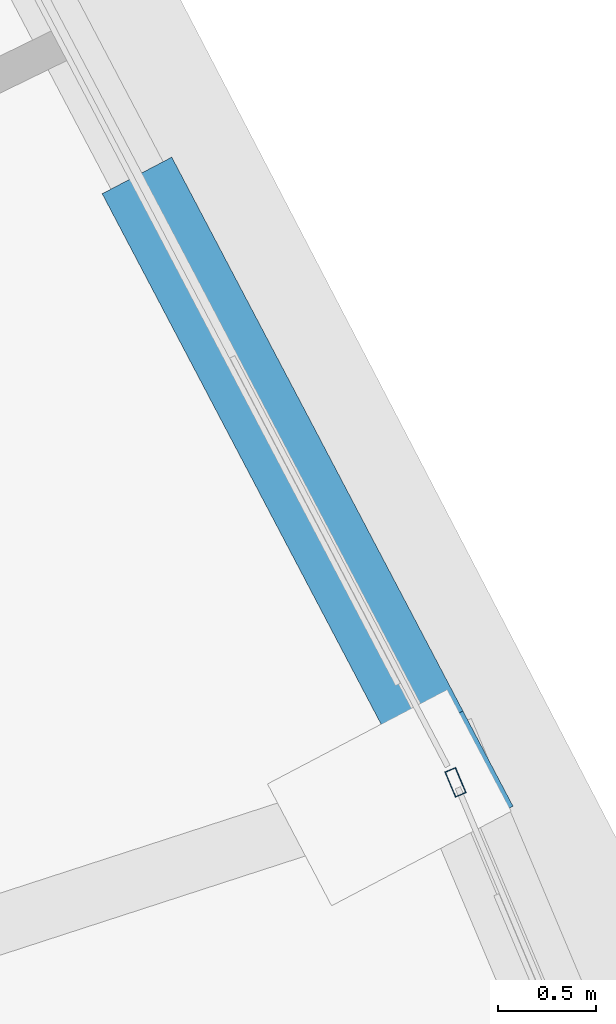
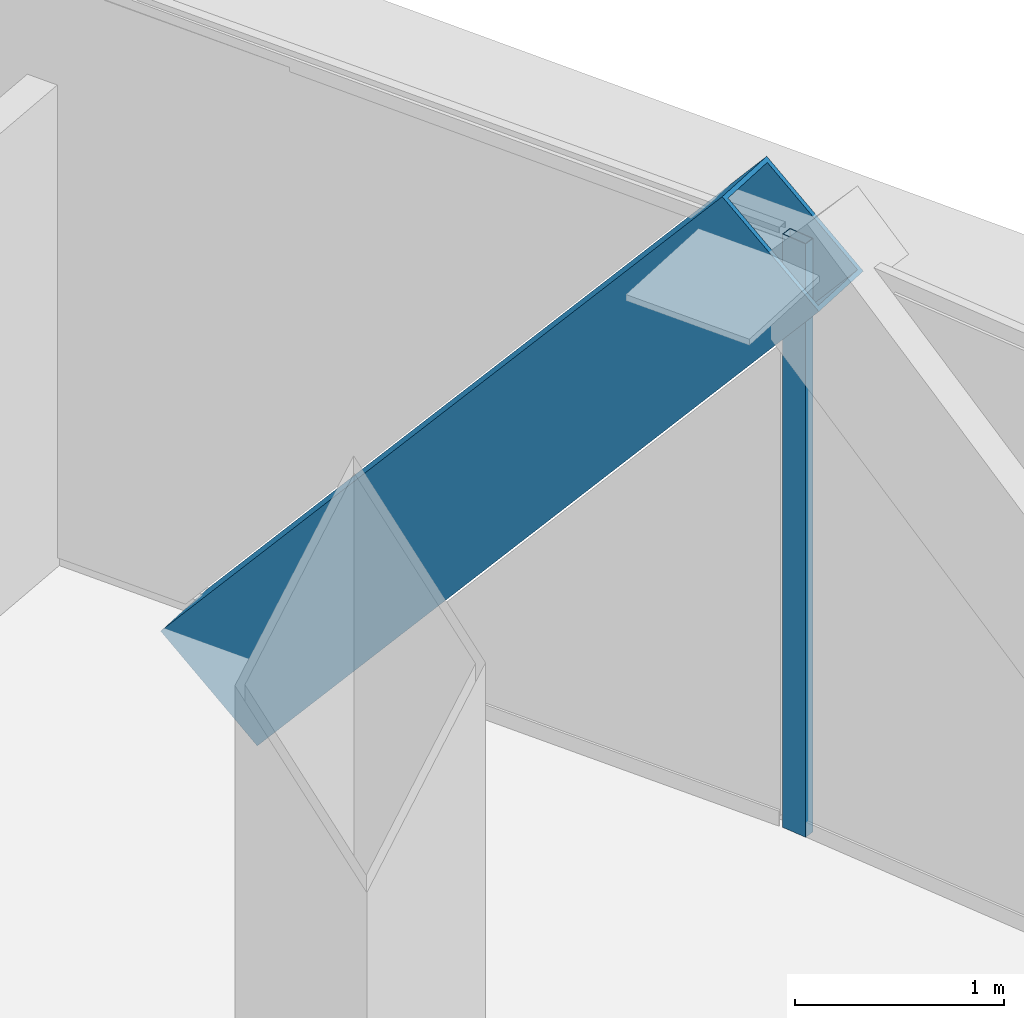
# One storey, part 24 of 35: 2 members, 1 element without a shape of its own.
"""IFC4 building model written with IfcOpenShell, lengths in metres."""

from ifc_helpers import new_model, si_unit, direction, frame, origin, origin_2d, place, context, subcontext, project, spatial, hollow_rectangle, extrude, source, transform, mapped, material, layer, layer_set, material_profile, profile_set, type_object, element, aggregate, save


model = new_model("IFC4")

# Units and contexts
model_context = context("Model", 3, precision=1e-05, world=origin(), true_north=direction((0.0, 1.0)))
body_context = subcontext(model_context, "Body", "Model", "MODEL_VIEW")
ifc_project = project(units=[si_unit("LENGTHUNIT", "METRE"), si_unit("AREAUNIT", "SQUARE_METRE"), si_unit("VOLUMEUNIT", "CUBIC_METRE"), si_unit("PLANEANGLEUNIT", "RADIAN"), si_unit("MASSUNIT", "GRAM", prefix="KILO"), si_unit("THERMODYNAMICTEMPERATUREUNIT", "KELVIN"), si_unit("POWERUNIT", "WATT")], contexts=[model_context])

# Site, building, storey
site_placement = place(None, origin())
site = spatial("IfcSite", under=ifc_project, at=site_placement, CompositionType="ELEMENT")
building_placement = place(site_placement, origin())
building = spatial("IfcBuilding", under=site, at=building_placement, Name="Yunzhuo Pagoda Commons", CompositionType="ELEMENT")
storey_placement = place(building_placement, frame((0.0, 0.0, 237.070068359375)))
storey = spatial("IfcBuildingStorey", under=building, at=storey_placement, Name="L59", CompositionType="ELEMENT", Elevation=237.070068359375)

# Member
ifc_material_1 = material(Name="Structural steel Q355B", Category="steel")
ifc_material_profile_1 = material_profile(ifc_material_1, hollow_rectangle(XDim=0.39990234375, YDim=0.719970703125, WallThickness=0.02392578125, at=origin_2d()), Name="Structural steel Q355B")
ifc_profile_set_1 = profile_set([ifc_material_profile_1], Name="Structural steel Q355B")
member_type_1 = type_object("IfcMemberType", Name="M-DL2 Brace BOX 720x400x24", PredefinedType="BRACE", material=ifc_profile_set_1)
shared_shape_1 = source(origin(), body_context, "Body", "SweptSolid", [
    extrude(hollow_rectangle(XDim=0.39990234375, YDim=0.719970703125, WallThickness=0.02392578125, at=origin_2d()), origin(), (0.0, 0.0, 1.0), 4.90283203125),
])
member_1_placement = place(storey_placement, frame((75.363525390625, 45.888671875, -0.260009765625), z_axis=(0.30201396814, -0.574448991998, 0.76078638174), x_axis=(0.885126179931, 0.465351099279, 0.0)))
element("IfcMember", 1, at=member_1_placement, inside=storey, type_object=member_type_1, Name="L59 facade diamond brace F2.2L", PredefinedType="BRACE", context=body_context, shape_type="MappedRepresentation", body=[
    mapped(shared_shape_1, transform((0.0, 0.0, 0.0), scale=1.0)),
])

# Curtain wall, member
ifc_material_2 = material(Name="Anodized aluminium 6063-T6", Category="aluminium")
ifc_layer = layer(ifc_material_2, 0.139892578125)
ifc_layer_set = layer_set([ifc_layer], Name="Anodized aluminium 6063-T6")
curtain_wall_type = type_object("IfcCurtainWallType", Name="CW-HI High-Zone Ribbon Curtain Wall", PredefinedType="NOTDEFINED", material=ifc_layer_set)
curtain_wall_placement = place(storey_placement, origin())
curtain_wall = element("IfcCurtainWall", 2, at=curtain_wall_placement, inside=storey, type_object=curtain_wall_type, Name="L59 curtain wall CW-L59-F2B2", PredefinedType="NOTDEFINED")
ifc_material_profile_2 = material_profile(ifc_material_2, hollow_rectangle(XDim=0.06005859375, YDim=0.139892578125, WallThickness=0.00341796875, at=origin_2d()), Name="Anodized aluminium 6063-T6")
ifc_profile_set_2 = profile_set([ifc_material_profile_2], Name="Anodized aluminium 6063-T6")
member_type_2 = type_object("IfcMemberType", Name="CW-HI-M Mullion RHS 140x60x3.5", PredefinedType="MULLION", material=ifc_profile_set_2)
shared_shape_2 = source(origin(), body_context, "Body", "SweptSolid", [
    extrude(hollow_rectangle(XDim=0.06005859375, YDim=0.139892578125, WallThickness=0.00341796875, at=origin_2d()), origin(), (0.0, 0.0, 1.0), 3.469970703125),
])
member_2_placement = place(storey_placement, frame((76.85595703125, 43.04443359375, 0.0), z_axis=(0.0, 0.0, 1.0), x_axis=(-0.92158893956, -0.388167266112, 0.0)))
member_2 = element("IfcMember", 3, at=member_2_placement, type_object=member_type_2, Name="CW mullion 2", PredefinedType="MULLION", context=body_context, shape_type="MappedRepresentation", body=[
    mapped(shared_shape_2, transform((0.0, 0.0, 0.0), scale=1.0)),
])
aggregate(curtain_wall, [member_2])

save(model, "model.ifc")
